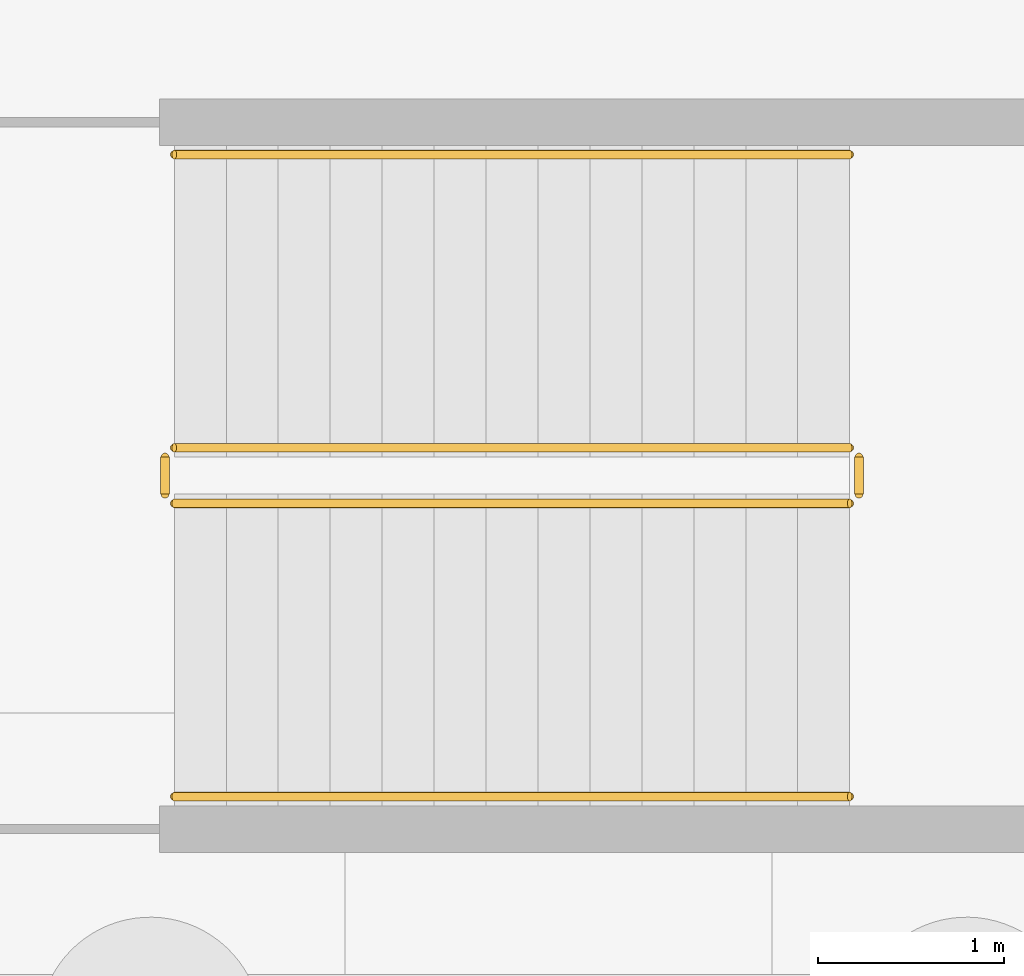
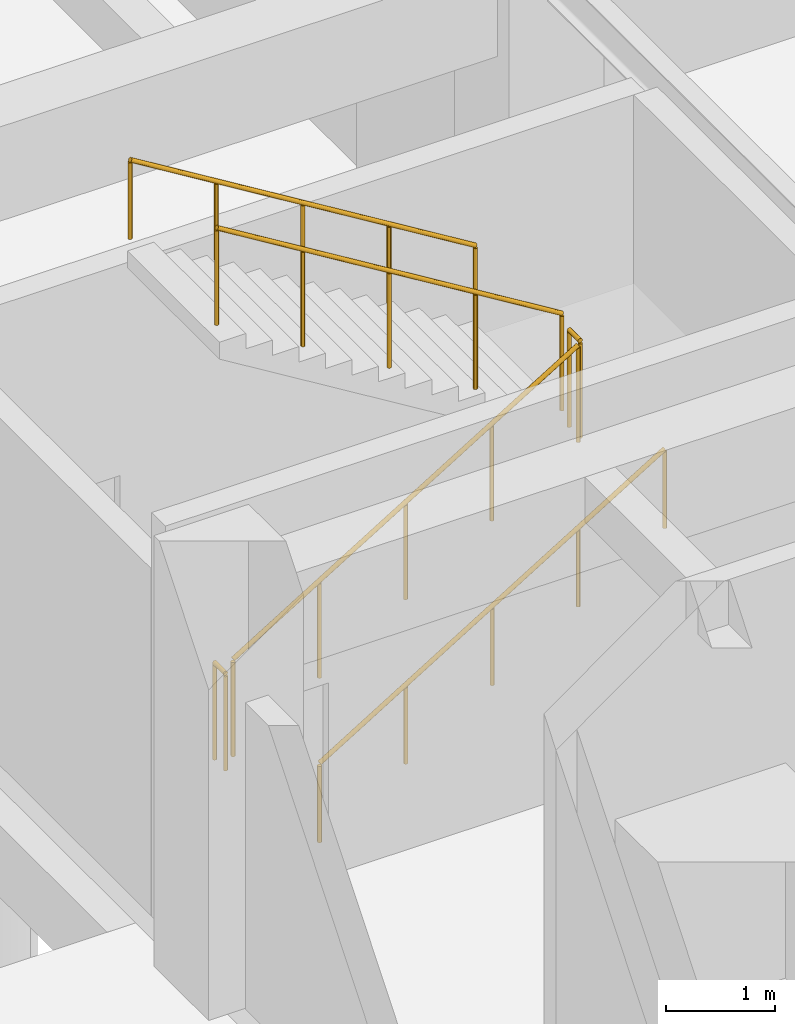
# One storey, part 35 of 38: 6 railings.
"""IFC4 building model written with IfcOpenShell, lengths in metres."""

import ifcopenshell
import ifcopenshell.guid

model = None  # the IFC model being written
_history = None  # IfcOwnerHistory: only IFC2X3 demands one
_inside = {}  # id of a spatial element -> (the spatial element, [elements in it])
_under = {}  # id of a project, library or spatial element -> (it, [spatial elements below it])
_declared = {}  # id of a project -> (the project, [libraries it declares])
_typed = {}  # id of a type object -> (the type object, [elements of that type])
_made_of = {}  # id of a material, layer set ... -> (it, [elements and type objects made of it])


def new_model(schema):
    """Start an empty IFC model of exactly this schema.

    Asked for "IFC4X3", IfcOpenShell would pick the latest addendum, in which some entities
    have other attributes; the version numbers below select the first issue.
    IFC2X3 requires an IfcOwnerHistory on every rooted entity: one is made here for all.
    """
    global model, _history
    if schema == "IFC4X3":
        model = ifcopenshell.file(schema_version=(4, 3, 0, 0))
    else:
        model = ifcopenshell.file(schema=schema)
    _inside.clear()
    _under.clear()
    _declared.clear()
    _typed.clear()
    _made_of.clear()
    _history = None
    if model.schema == "IFC2X3":
        org = make("IfcOrganization", Name="unknown")
        user = make(
            "IfcPersonAndOrganization",
            ThePerson=make("IfcPerson", FamilyName="unknown"),
            TheOrganization=org,
        )
        app = make(
            "IfcApplication",
            ApplicationDeveloper=org,
            Version="unknown",
            ApplicationFullName="unknown",
            ApplicationIdentifier="unknown",
        )
        _history = make(
            "IfcOwnerHistory",
            OwningUser=user,
            OwningApplication=app,
            ChangeAction="ADDED",
            CreationDate=0,
        )
    return model


def make(cls, **values):
    """One entity of the class cls with the attributes given. An attribute that is None is left unset."""
    return model.create_entity(
        cls, **{name: value for name, value in values.items() if value is not None}
    )


def rooted(cls, **values):
    """An entity with a GlobalId (a new one), such as an element, a storey or a relation."""
    return make(cls, GlobalId=ifcopenshell.guid.new(), OwnerHistory=_history, **values)


def si_unit(unit_type, name, prefix=None):
    """IfcSIUnit, for example si_unit("LENGTHUNIT", "METRE", prefix="MILLI")."""
    return make("IfcSIUnit", UnitType=unit_type, Prefix=prefix, Name=name)


def assignment(units):
    """IfcUnitAssignment: the units of a project."""
    return None if units is None else make("IfcUnitAssignment", Units=units)


def point(xyz):
    """IfcCartesianPoint."""
    return None if xyz is None else make("IfcCartesianPoint", Coordinates=xyz)


def direction(xyz):
    """IfcDirection."""
    return None if xyz is None else make("IfcDirection", DirectionRatios=xyz)


def frame(location, z_axis=None, x_axis=None):
    """IfcAxis2Placement3D, a coordinate frame: its origin and axes. An axis left out is left unset."""
    return make(
        "IfcAxis2Placement3D",
        Location=point(location),
        Axis=direction(z_axis),
        RefDirection=direction(x_axis),
    )


def frame_2d(location, x_axis=None):
    """IfcAxis2Placement2D, a coordinate frame in the plane: its origin and x axis."""
    return make(
        "IfcAxis2Placement2D", Location=point(location), RefDirection=direction(x_axis)
    )


def origin():
    """The frame at (0, 0, 0) with its axes left unset."""
    return frame((0.0, 0.0, 0.0))


def origin_2d():
    """The frame at (0, 0) in the plane with its x axis left unset."""
    return frame_2d((0.0, 0.0))


def place(relative_to, where):
    """IfcLocalPlacement: puts the frame where relative to a parent placement (None: the world)."""
    return make(
        "IfcLocalPlacement", PlacementRelTo=relative_to, RelativePlacement=where
    )


def context(
    kind, dimensions, precision=None, world=None, true_north=None, identifier=None
):
    """IfcGeometricRepresentationContext, for example the 3D "Model" context."""
    return make(
        "IfcGeometricRepresentationContext",
        ContextIdentifier=identifier,
        ContextType=kind,
        CoordinateSpaceDimension=dimensions,
        Precision=precision,
        WorldCoordinateSystem=world,
        TrueNorth=true_north,
    )


def subcontext(parent, identifier, kind, view, scale=None):
    """IfcGeometricRepresentationSubContext, for example "Body" below "Model"."""
    return make(
        "IfcGeometricRepresentationSubContext",
        ContextIdentifier=identifier,
        ContextType=kind,
        ParentContext=parent,
        TargetScale=scale,
        TargetView=view,
    )


def project(units=None, contexts=None):
    """IfcProject with its units and contexts."""
    return rooted(
        "IfcProject",
        Name="project",
        RepresentationContexts=contexts,
        UnitsInContext=assignment(units),
    )


def spatial(cls, under=None, at=None, **own):
    """A site, building, storey or space (cls), placed at a placement, below another one or the project."""
    s = rooted(cls, ObjectPlacement=at, **own)
    if under is not None:
        _under.setdefault(under.id(), (under, []))[1].append(s)
    return s


def profile(cls, at=None, kind="AREA", **sizes):
    """A parametric profile (cls). Its sizes go by their IFC names, for example OverallWidth=200.0."""
    return make(cls, ProfileType=kind, Position=at, **sizes)


def circle(**sizes):
    """IfcCircleProfileDef."""
    return profile("IfcCircleProfileDef", **sizes)


def extrude(swept, where, along, depth):
    """IfcExtrudedAreaSolid: the profile swept, set in the frame where, extruded along a direction by depth."""
    return make(
        "IfcExtrudedAreaSolid",
        SweptArea=swept,
        Position=where,
        ExtrudedDirection=direction(along),
        Depth=depth,
    )


def shape(context_of_items, identifier, shape_type, items):
    """IfcShapeRepresentation: the items that make up one representation, for example the "Body"."""
    return make(
        "IfcShapeRepresentation",
        ContextOfItems=context_of_items,
        RepresentationIdentifier=identifier,
        RepresentationType=shape_type,
        Items=items,
    )


def material(Name=None, Category=None):
    """IfcMaterial."""
    return make("IfcMaterial", Name=Name, Category=Category)


def layer(
    of_material, thickness, ventilated=None, Name=None, Category=None, Priority=None
):
    """IfcMaterialLayer: one layer of a wall or slab, of a material (None: an air gap)."""
    return make(
        "IfcMaterialLayer",
        Material=of_material,
        LayerThickness=thickness,
        IsVentilated=ventilated,
        Name=Name,
        Category=Category,
        Priority=Priority,
    )


def layer_set(layers, Name=None):
    """IfcMaterialLayerSet."""
    return make("IfcMaterialLayerSet", MaterialLayers=layers, LayerSetName=Name)


def made_of(thing, what):
    """Note that an element or type object is made of a material, layer set ...; save() writes the relation."""
    if what is not None:
        _made_of.setdefault(what.id(), (what, []))[1].append(thing)
    return thing


def type_object(cls, material=None, **own):
    """A type object (cls), such as IfcWallType, which elements share."""
    return made_of(rooted(cls, **own), material)


def element(
    cls,
    number,
    at=None,
    inside=None,
    cuts=None,
    type_object=None,
    material=None,
    context=None,
    identifier="Body",
    shape_type=None,
    held_by="IfcProductDefinitionShape",
    body=None,
    shapes=None,
    **own,
):
    """One element of the class cls, such as IfcWall. Its Tag is "e" and its number.

    at: its placement. inside: the storey or other place that contains it. cuts: it is an
    opening in that element (IfcRelVoidsElement). A single representation is given by context,
    identifier, shape_type and body (its items); several are given by shapes. held_by: the class
    of the entity that holds the representations. save() writes the other relations.
    """
    e = rooted(cls, Tag="e%d" % number, ObjectPlacement=at, **own)
    if body is not None:
        shapes = [shape(context, identifier, shape_type, body)]
    if shapes is not None:
        e.Representation = make(held_by, Representations=shapes)
    if inside is not None:
        _inside.setdefault(inside.id(), (inside, []))[1].append(e)
    if cuts is not None:
        rooted(
            "IfcRelVoidsElement", RelatingBuildingElement=cuts, RelatedOpeningElement=e
        )
    if type_object is not None:
        _typed.setdefault(type_object.id(), (type_object, []))[1].append(e)
    return made_of(e, material)


def aggregate(whole, parts):
    """IfcRelAggregates: a whole, such as a stair, and the parts it consists of."""
    return rooted("IfcRelAggregates", RelatingObject=whole, RelatedObjects=parts)


def save(model, path):
    """Write the relations noted so far, then the file.

    IfcRelAggregates (storeys below a building ...), IfcRelContainedInSpatialStructure (elements
    in a storey), IfcRelDefinesByType, IfcRelAssociatesMaterial and IfcRelDeclares: one each for
    every whole, place, type object, material and project.
    """
    for whole, parts in _under.values():
        aggregate(whole, parts)
    for where, things in _inside.values():
        rooted(
            "IfcRelContainedInSpatialStructure",
            RelatedElements=things,
            RelatingStructure=where,
        )
    for kind, things in _typed.values():
        rooted("IfcRelDefinesByType", RelatedObjects=things, RelatingType=kind)
    for what, things in _made_of.values():
        rooted("IfcRelAssociatesMaterial", RelatedObjects=things, RelatingMaterial=what)
    for by, libraries in _declared.values():
        rooted("IfcRelDeclares", RelatingContext=by, RelatedDefinitions=libraries)
    model.write(path)


model = new_model("IFC4")

# Units and contexts
model_context = context("Model", 3, precision=1e-05, world=origin(), true_north=direction((0.0, 1.0)))
body_context = subcontext(model_context, "Body", "Model", "MODEL_VIEW")
ifc_project = project(units=[si_unit("LENGTHUNIT", "METRE"), si_unit("AREAUNIT", "SQUARE_METRE"), si_unit("VOLUMEUNIT", "CUBIC_METRE"), si_unit("PLANEANGLEUNIT", "RADIAN"), si_unit("MASSUNIT", "GRAM", prefix="KILO")], contexts=[model_context])

# Site, building, storey
site_placement = place(None, origin())
site = spatial("IfcSite", under=ifc_project, at=site_placement, CompositionType="ELEMENT")
building_placement = place(site_placement, origin())
building = spatial("IfcBuilding", under=site, at=building_placement, Name="Qasida Concert Hall", CompositionType="ELEMENT")
storey_placement = place(building_placement, frame((0.0, 0.0, -4.800048828125)))
storey = spatial("IfcBuildingStorey", under=building, at=storey_placement, Name="B1", CompositionType="ELEMENT", Elevation=-4.800048828125)

# Railings
ifc_material_1 = material(Name="Patinated architectural bronze and laminated glass infill", Category="glass")
ifc_layer_1 = layer(ifc_material_1, 0.080078125, Name="Patinated architectural bronze and laminated glass infill")
ifc_layer_set_1 = layer_set([ifc_layer_1], Name="Patinated architectural bronze and laminated glass infill")
railing_type_1 = type_object("IfcRailingType", Name="RL-GRD-1100", PredefinedType="GUARDRAIL", material=ifc_layer_set_1)
railing_1_placement = place(storey_placement, frame((54.179931640625, 62.830078125, 0.17138671875)))
element("IfcRailing", 1, at=railing_1_placement, inside=storey, type_object=railing_type_1, Name="B1 ST-11 stair guard 1", PredefinedType="GUARDRAIL", context=body_context, shape_type="SweptSolid", body=[
    extrude(circle(Radius=0.02392578125, at=origin_2d()), frame((0.0, 0.0, 1.076171875), z_axis=(0.852840387347, 0.0, 0.522171689878), x_axis=(0.0, 1.0, 0.0)), (0.0, 0.0, 1.0), 4.268310546875),
    extrude(circle(Radius=0.02099609375, at=origin_2d()), origin(), (0.0, 0.0, 1.0), 1.052001953125),
    extrude(circle(Radius=0.02099609375, at=origin_2d()), frame((0.91015625, 0.0, 0.55712890625)), (0.0, 0.0, 1.0), 1.052001953125),
    extrude(circle(Radius=0.02099609375, at=origin_2d()), frame((1.820068359375, 0.0, 1.1142578125)), (0.0, 0.0, 1.0), 1.052001953125),
    extrude(circle(Radius=0.02099609375, at=origin_2d()), frame((2.72998046875, 0.0, 1.671630859375)), (0.0, 0.0, 1.0), 1.052001953125),
    extrude(circle(Radius=0.02099609375, at=origin_2d()), frame((3.64013671875, 0.0, 2.228759765625)), (0.0, 0.0, 1.0), 1.052001953125),
])
railing_2_placement = place(storey_placement, frame((57.8701171875, 62.8798828125, 2.400146484375)))
element("IfcRailing", 2, at=railing_2_placement, inside=storey, type_object=railing_type_1, Name="B1 ST-11 stair guard 2", PredefinedType="GUARDRAIL", context=body_context, shape_type="SweptSolid", body=[
    extrude(circle(Radius=0.02392578125, at=origin_2d()), frame((0.0, 0.0, 1.076171875), z_axis=(0.0, 1.0, 0.0), x_axis=(-1.0, 0.0, 0.0)), (0.0, 0.0, 1.0), 0.2001953125),
    extrude(circle(Radius=0.02099609375, at=origin_2d()), origin(), (0.0, 0.0, 1.0), 1.052001953125),
    extrude(circle(Radius=0.02099609375, at=origin_2d()), frame((0.0, 0.2001953125, 0.0)), (0.0, 0.0, 1.0), 1.052001953125),
])
railing_3_placement = place(storey_placement, frame((57.820068359375, 63.1298828125, 2.571533203125)))
element("IfcRailing", 3, at=railing_3_placement, inside=storey, type_object=railing_type_1, Name="B1 ST-11 stair guard 3", PredefinedType="GUARDRAIL", context=body_context, shape_type="SweptSolid", body=[
    extrude(circle(Radius=0.02392578125, at=origin_2d()), frame((0.0, 0.0, 1.076171875), z_axis=(-0.852865859571, 0.0, 0.52213008492), x_axis=(0.0, -1.0, 0.0)), (0.0, 0.0, 1.0), 4.26806640625),
    extrude(circle(Radius=0.02099609375, at=origin_2d()), origin(), (0.0, 0.0, 1.0), 1.052001953125),
    extrude(circle(Radius=0.02099609375, at=origin_2d()), frame((-0.91015625, 0.0, 0.55712890625)), (0.0, 0.0, 1.0), 1.052001953125),
    extrude(circle(Radius=0.02099609375, at=origin_2d()), frame((-1.820068359375, 0.0, 1.1142578125)), (0.0, 0.0, 1.0), 1.052001953125),
    extrude(circle(Radius=0.02099609375, at=origin_2d()), frame((-2.72998046875, 0.0, 1.67138671875)), (0.0, 0.0, 1.0), 1.052001953125),
    extrude(circle(Radius=0.02099609375, at=origin_2d()), frame((-3.64013671875, 0.0, 2.228515625)), (0.0, 0.0, 1.0), 1.052001953125),
])
railing_4_placement = place(storey_placement, frame((54.1298828125, 62.8798828125, 0.0)))
element("IfcRailing", 4, at=railing_4_placement, inside=storey, type_object=railing_type_1, Name="B1 ST-11 stair guard 4", PredefinedType="GUARDRAIL", context=body_context, shape_type="SweptSolid", body=[
    extrude(circle(Radius=0.02392578125, at=origin_2d()), frame((0.0, 0.0, 1.076171875), z_axis=(0.0, 1.0, 0.0), x_axis=(-1.0, 0.0, 0.0)), (0.0, 0.0, 1.0), 0.2001953125),
    extrude(circle(Radius=0.02099609375, at=origin_2d()), origin(), (0.0, 0.0, 1.0), 1.052001953125),
    extrude(circle(Radius=0.02099609375, at=origin_2d()), frame((0.0, 0.2001953125, 0.0)), (0.0, 0.0, 1.0), 1.052001953125),
])
ifc_material_2 = material(Name="Patinated tubular architectural bronze", Category="steel")
ifc_layer_2 = layer(ifc_material_2, 0.050048828125, Name="Patinated tubular architectural bronze")
ifc_layer_set_2 = layer_set([ifc_layer_2], Name="Patinated tubular architectural bronze")
railing_type_2 = type_object("IfcRailingType", Name="RL-HND-900", PredefinedType="HANDRAIL", material=ifc_layer_set_2)
railing_5_placement = place(storey_placement, frame((54.179931640625, 61.25, 0.17138671875)))
element("IfcRailing", 5, at=railing_5_placement, inside=storey, type_object=railing_type_2, Name="B1 ST-11 stair handrail 1", PredefinedType="HANDRAIL", context=body_context, shape_type="SweptSolid", body=[
    extrude(circle(Radius=0.02392578125, at=origin_2d()), frame((0.0, 0.0, 0.8759765625), z_axis=(0.852840387347, 0.0, 0.522171689878), x_axis=(0.0, 1.0, 0.0)), (0.0, 0.0, 1.0), 4.268310546875),
    extrude(circle(Radius=0.02099609375, at=origin_2d()), origin(), (0.0, 0.0, 1.0), 0.851806640625),
    extrude(circle(Radius=0.02099609375, at=origin_2d()), frame((0.91015625, 0.0, 0.55712890625)), (0.0, 0.0, 1.0), 0.851806640625),
    extrude(circle(Radius=0.02099609375, at=origin_2d()), frame((1.820068359375, 0.0, 1.1142578125)), (0.0, 0.0, 1.0), 0.851806640625),
    extrude(circle(Radius=0.02099609375, at=origin_2d()), frame((2.72998046875, 0.0, 1.671630859375)), (0.0, 0.0, 1.0), 0.851806640625),
    extrude(circle(Radius=0.02099609375, at=origin_2d()), frame((3.64013671875, 0.0, 2.228759765625)), (0.0, 0.0, 1.0), 0.851806640625),
])
railing_6_placement = place(storey_placement, frame((57.820068359375, 64.7099609375, 2.571533203125)))
element("IfcRailing", 6, at=railing_6_placement, inside=storey, type_object=railing_type_2, Name="B1 ST-11 stair handrail 2", PredefinedType="HANDRAIL", context=body_context, shape_type="SweptSolid", body=[
    extrude(circle(Radius=0.02392578125, at=origin_2d()), frame((0.0, 0.0, 0.8759765625), z_axis=(-0.852865859571, 0.0, 0.52213008492), x_axis=(0.0, -1.0, 0.0)), (0.0, 0.0, 1.0), 4.26806640625),
    extrude(circle(Radius=0.02099609375, at=origin_2d()), origin(), (0.0, 0.0, 1.0), 0.851806640625),
    extrude(circle(Radius=0.02099609375, at=origin_2d()), frame((-0.91015625, 0.0, 0.55712890625)), (0.0, 0.0, 1.0), 0.851806640625),
    extrude(circle(Radius=0.02099609375, at=origin_2d()), frame((-1.820068359375, 0.0, 1.1142578125)), (0.0, 0.0, 1.0), 0.851806640625),
    extrude(circle(Radius=0.02099609375, at=origin_2d()), frame((-2.72998046875, 0.0, 1.67138671875)), (0.0, 0.0, 1.0), 0.851806640625),
    extrude(circle(Radius=0.02099609375, at=origin_2d()), frame((-3.64013671875, 0.0, 2.228515625)), (0.0, 0.0, 1.0), 0.851806640625),
])

save(model, "model.ifc")
